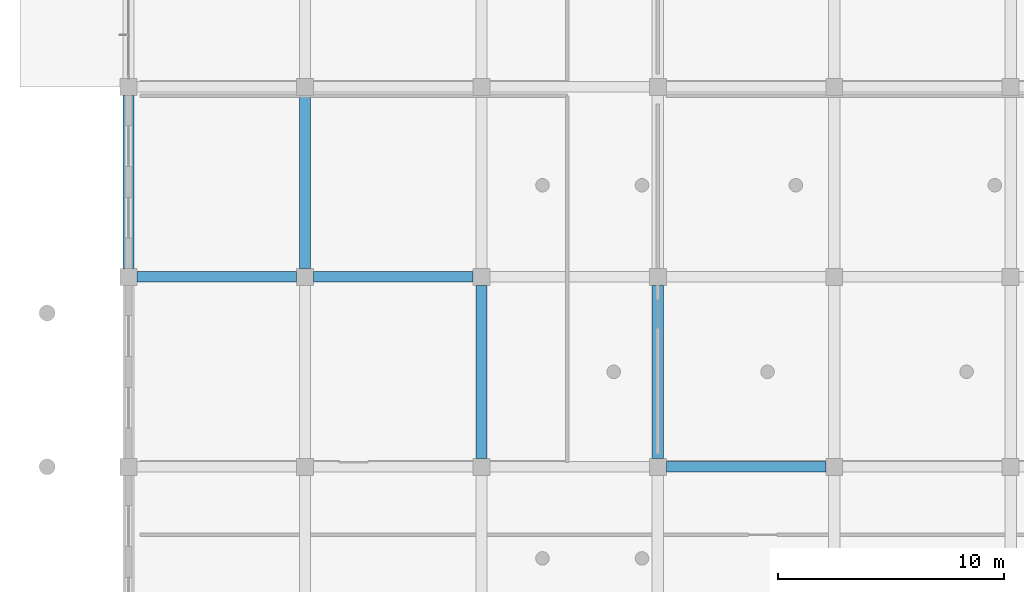
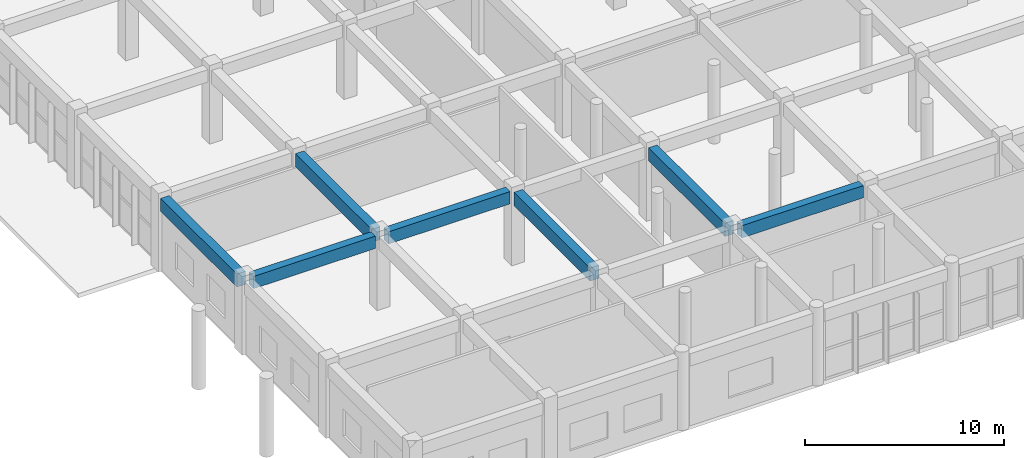
# One storey, part 11 of 175: 7 beams.
"""IFC4 building model written with IfcOpenShell, lengths in metres."""

from ifc_helpers import new_model, si_unit, direction, frame, origin, origin_2d, place, context, subcontext, project, spatial, rectangle, extrude, material, material_profile, profile_set, type_object, element, save


model = new_model("IFC4")

# Units and contexts
model_context = context("Model", 3, precision=1e-05, world=origin(), true_north=direction((0.0, 1.0)))
body_context = subcontext(model_context, "Body", "Model", "MODEL_VIEW")
ifc_project = project(units=[si_unit("LENGTHUNIT", "METRE"), si_unit("AREAUNIT", "SQUARE_METRE"), si_unit("VOLUMEUNIT", "CUBIC_METRE"), si_unit("PLANEANGLEUNIT", "RADIAN"), si_unit("MASSUNIT", "GRAM", prefix="KILO")], contexts=[model_context])

# Site, building, storey
site_placement = place(None, origin())
site = spatial("IfcSite", under=ifc_project, at=site_placement, CompositionType="ELEMENT")
building_placement = place(site_placement, origin())
building = spatial("IfcBuilding", under=site, at=building_placement, Name="Zizhar Promenade General Hospital", CompositionType="ELEMENT")
storey_placement = place(building_placement, frame((0.0, 0.0, 4.800048828125)))
storey = spatial("IfcBuildingStorey", under=building, at=storey_placement, Name="L01", CompositionType="ELEMENT", Elevation=4.800048828125)

# Beams
ifc_material_1 = material(Name="Concrete C35/45", Category="concrete")
ifc_material_profile_1 = material_profile(ifc_material_1, rectangle(XDim=0.449951171875, YDim=0.75, at=origin_2d()))
ifc_profile_set_1 = profile_set([ifc_material_profile_1], Name="Concrete C35/45")
beam_type_1 = type_object("IfcBeamType", Name="BM-RC-450x750", PredefinedType="BEAM", material=ifc_profile_set_1)
for number, where, z_axis, x_axis, name in (
    (1, (0.375, 16.800048828125, 4.094970703125), (1.0, 0.0, 0.0), (0.0, 1.0, 0.0), "Grid Beam X L01 (0-2)"),
    (2, (8.175048828125, 16.800048828125, 4.094970703125), (1.0, 0.0, 0.0), (0.0, 1.0, 0.0), "Grid Beam X L01 (1-2)"),
    (3, (23.77490234375, 8.39990234375, 4.094970703125), (1.0, 0.0, 0.0), (0.0, 1.0, 0.0), "Grid Beam X L01 (3-1)"),
):
    element("IfcBeam", number, at=place(storey_placement, frame(where, z_axis=z_axis, x_axis=x_axis)), inside=storey, type_object=beam_type_1, Name=name, PredefinedType="BEAM", context=body_context, shape_type="SweptSolid", body=[
        extrude(rectangle(XDim=0.449951171875, YDim=0.75, at=origin_2d()), origin(), (0.0, 0.0, 1.0), 7.050048828125),
    ])
ifc_material_2 = material(Name="Concrete C35/45", Category="concrete")
ifc_material_profile_2 = material_profile(ifc_material_2, rectangle(XDim=0.5, YDim=0.800048828125, at=origin_2d()))
ifc_profile_set_2 = profile_set([ifc_material_profile_2], Name="Concrete C35/45")
beam_type_2 = type_object("IfcBeamType", Name="BM-RC-500x800", PredefinedType="BEAM", material=ifc_profile_set_2)
for number, where, z_axis, x_axis, name in (
    (4, (0.0, 17.175048828125, 4.070068359375), (0.0, 1.0, 0.0), (-1.0, 0.0, 0.0), "Grid Beam Y L01 (0-2)"),
    (5, (7.800048828125, 17.175048828125, 4.070068359375), (0.0, 1.0, 0.0), (-1.0, 0.0, 0.0), "Grid Beam Y L01 (1-2)"),
):
    element("IfcBeam", number, at=place(storey_placement, frame(where, z_axis=z_axis, x_axis=x_axis)), inside=storey, type_object=beam_type_2, Name=name, PredefinedType="BEAM", context=body_context, shape_type="SweptSolid", body=[
        extrude(rectangle(XDim=0.5, YDim=0.800048828125, at=origin_2d()), origin(), (0.0, 0.0, 1.0), 7.64990234375),
    ])
for number, where, z_axis, x_axis, name in (
    (6, (15.60009765625, 8.77490234375, 4.070068359375), (0.0, 1.0, 0.0), (-1.0, 0.0, 0.0), "Grid Beam Y L01 (2-1)"),
    (7, (23.39990234375, 8.77490234375, 4.070068359375), (0.0, 1.0, 0.0), (-1.0, 0.0, 0.0), "Grid Beam Y L01 (3-1)"),
):
    element("IfcBeam", number, at=place(storey_placement, frame(where, z_axis=z_axis, x_axis=x_axis)), inside=storey, type_object=beam_type_2, Name=name, PredefinedType="BEAM", context=body_context, shape_type="SweptSolid", body=[
        extrude(rectangle(XDim=0.5, YDim=0.800048828125, at=origin_2d()), origin(), (0.0, 0.0, 1.0), 7.650146484375),
    ])

save(model, "model.ifc")
